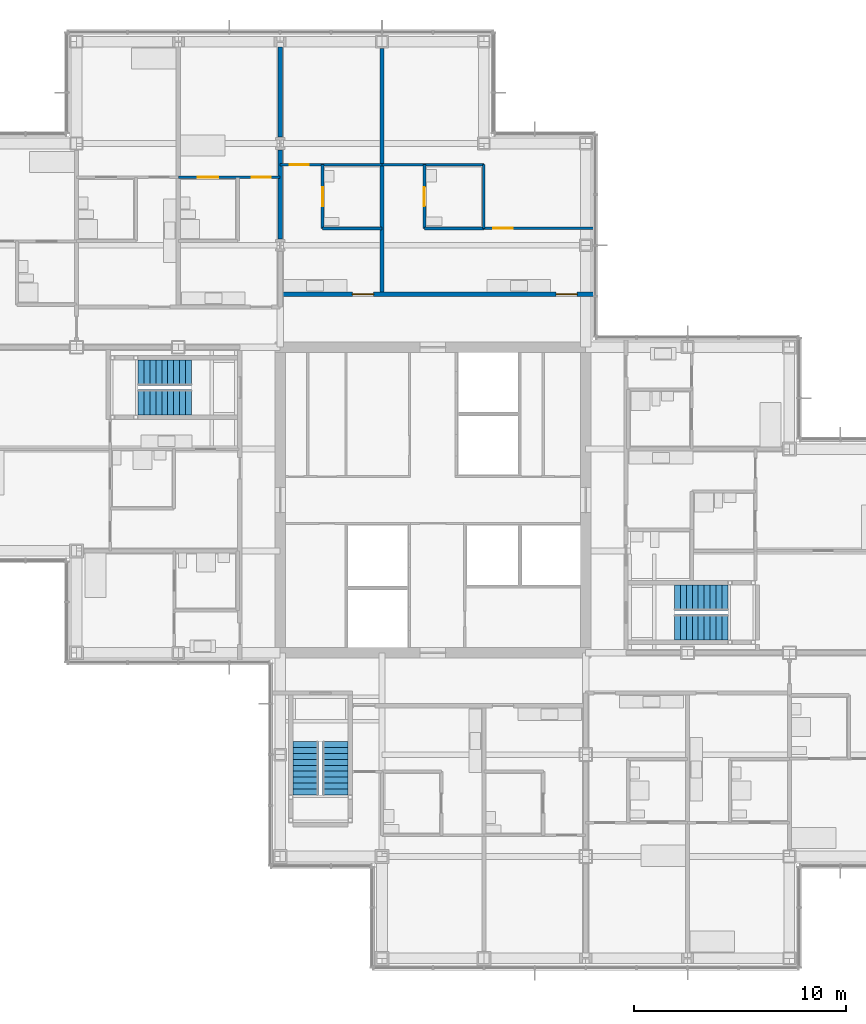
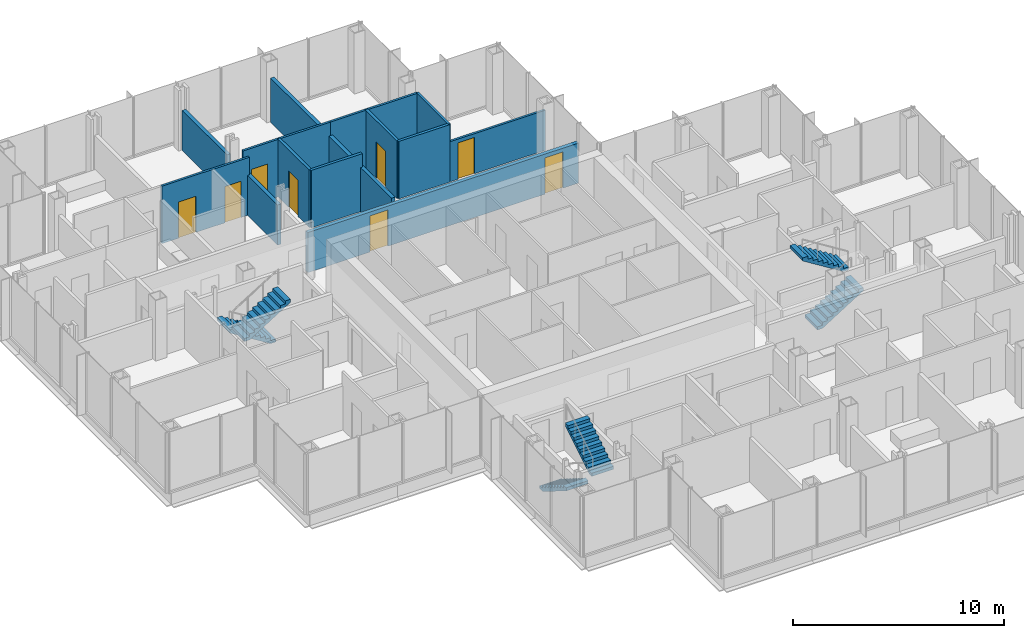
# One storey, part 17 of 20: 13 walls, 8 doors, 6 stair flights, 8 openings, 3 elements without a shape of their own.
"""IFC4 building model written with IfcOpenShell, lengths in metres."""

import ifcopenshell
import ifcopenshell.guid

model = None  # the IFC model being written
_history = None  # IfcOwnerHistory: only IFC2X3 demands one
_inside = {}  # id of a spatial element -> (the spatial element, [elements in it])
_under = {}  # id of a project, library or spatial element -> (it, [spatial elements below it])
_declared = {}  # id of a project -> (the project, [libraries it declares])
_typed = {}  # id of a type object -> (the type object, [elements of that type])
_made_of = {}  # id of a material, layer set ... -> (it, [elements and type objects made of it])


def new_model(schema):
    """Start an empty IFC model of exactly this schema.

    Asked for "IFC4X3", IfcOpenShell would pick the latest addendum, in which some entities
    have other attributes; the version numbers below select the first issue.
    IFC2X3 requires an IfcOwnerHistory on every rooted entity: one is made here for all.
    """
    global model, _history
    if schema == "IFC4X3":
        model = ifcopenshell.file(schema_version=(4, 3, 0, 0))
    else:
        model = ifcopenshell.file(schema=schema)
    _inside.clear()
    _under.clear()
    _declared.clear()
    _typed.clear()
    _made_of.clear()
    _history = None
    if model.schema == "IFC2X3":
        org = make("IfcOrganization", Name="unknown")
        user = make(
            "IfcPersonAndOrganization",
            ThePerson=make("IfcPerson", FamilyName="unknown"),
            TheOrganization=org,
        )
        app = make(
            "IfcApplication",
            ApplicationDeveloper=org,
            Version="unknown",
            ApplicationFullName="unknown",
            ApplicationIdentifier="unknown",
        )
        _history = make(
            "IfcOwnerHistory",
            OwningUser=user,
            OwningApplication=app,
            ChangeAction="ADDED",
            CreationDate=0,
        )
    return model


def make(cls, **values):
    """One entity of the class cls with the attributes given. An attribute that is None is left unset."""
    return model.create_entity(
        cls, **{name: value for name, value in values.items() if value is not None}
    )


def rooted(cls, **values):
    """An entity with a GlobalId (a new one), such as an element, a storey or a relation."""
    return make(cls, GlobalId=ifcopenshell.guid.new(), OwnerHistory=_history, **values)


def si_unit(unit_type, name, prefix=None):
    """IfcSIUnit, for example si_unit("LENGTHUNIT", "METRE", prefix="MILLI")."""
    return make("IfcSIUnit", UnitType=unit_type, Prefix=prefix, Name=name)


def assignment(units):
    """IfcUnitAssignment: the units of a project."""
    return None if units is None else make("IfcUnitAssignment", Units=units)


def point(xyz):
    """IfcCartesianPoint."""
    return None if xyz is None else make("IfcCartesianPoint", Coordinates=xyz)


def direction(xyz):
    """IfcDirection."""
    return None if xyz is None else make("IfcDirection", DirectionRatios=xyz)


def frame(location, z_axis=None, x_axis=None):
    """IfcAxis2Placement3D, a coordinate frame: its origin and axes. An axis left out is left unset."""
    return make(
        "IfcAxis2Placement3D",
        Location=point(location),
        Axis=direction(z_axis),
        RefDirection=direction(x_axis),
    )


def frame_2d(location, x_axis=None):
    """IfcAxis2Placement2D, a coordinate frame in the plane: its origin and x axis."""
    return make(
        "IfcAxis2Placement2D", Location=point(location), RefDirection=direction(x_axis)
    )


def origin():
    """The frame at (0, 0, 0) with its axes left unset."""
    return frame((0.0, 0.0, 0.0))


def place(relative_to, where):
    """IfcLocalPlacement: puts the frame where relative to a parent placement (None: the world)."""
    return make(
        "IfcLocalPlacement", PlacementRelTo=relative_to, RelativePlacement=where
    )


def context(
    kind, dimensions, precision=None, world=None, true_north=None, identifier=None
):
    """IfcGeometricRepresentationContext, for example the 3D "Model" context."""
    return make(
        "IfcGeometricRepresentationContext",
        ContextIdentifier=identifier,
        ContextType=kind,
        CoordinateSpaceDimension=dimensions,
        Precision=precision,
        WorldCoordinateSystem=world,
        TrueNorth=true_north,
    )


def subcontext(parent, identifier, kind, view, scale=None):
    """IfcGeometricRepresentationSubContext, for example "Body" below "Model"."""
    return make(
        "IfcGeometricRepresentationSubContext",
        ContextIdentifier=identifier,
        ContextType=kind,
        ParentContext=parent,
        TargetScale=scale,
        TargetView=view,
    )


def project(units=None, contexts=None):
    """IfcProject with its units and contexts."""
    return rooted(
        "IfcProject",
        Name="project",
        RepresentationContexts=contexts,
        UnitsInContext=assignment(units),
    )


def spatial(cls, under=None, at=None, **own):
    """A site, building, storey or space (cls), placed at a placement, below another one or the project."""
    s = rooted(cls, ObjectPlacement=at, **own)
    if under is not None:
        _under.setdefault(under.id(), (under, []))[1].append(s)
    return s


def polyline(points):
    """IfcPolyline through the points."""
    return make("IfcPolyline", Points=[point(p) for p in points])


def profile(cls, at=None, kind="AREA", **sizes):
    """A parametric profile (cls). Its sizes go by their IFC names, for example OverallWidth=200.0."""
    return make(cls, ProfileType=kind, Position=at, **sizes)


def rectangle(**sizes):
    """IfcRectangleProfileDef."""
    return profile("IfcRectangleProfileDef", **sizes)


def outline(outer, holes=None, kind="AREA"):
    """IfcArbitraryClosedProfileDef: a profile drawn as a closed curve; with holes, ...WithVoids."""
    if holes is None:
        return make("IfcArbitraryClosedProfileDef", ProfileType=kind, OuterCurve=outer)
    return make(
        "IfcArbitraryProfileDefWithVoids",
        ProfileType=kind,
        OuterCurve=outer,
        InnerCurves=holes,
    )


def extrude(swept, where, along, depth):
    """IfcExtrudedAreaSolid: the profile swept, set in the frame where, extruded along a direction by depth."""
    return make(
        "IfcExtrudedAreaSolid",
        SweptArea=swept,
        Position=where,
        ExtrudedDirection=direction(along),
        Depth=depth,
    )


def shape(context_of_items, identifier, shape_type, items):
    """IfcShapeRepresentation: the items that make up one representation, for example the "Body"."""
    return make(
        "IfcShapeRepresentation",
        ContextOfItems=context_of_items,
        RepresentationIdentifier=identifier,
        RepresentationType=shape_type,
        Items=items,
    )


def material(Name=None, Category=None):
    """IfcMaterial."""
    return make("IfcMaterial", Name=Name, Category=Category)


def layer(
    of_material, thickness, ventilated=None, Name=None, Category=None, Priority=None
):
    """IfcMaterialLayer: one layer of a wall or slab, of a material (None: an air gap)."""
    return make(
        "IfcMaterialLayer",
        Material=of_material,
        LayerThickness=thickness,
        IsVentilated=ventilated,
        Name=Name,
        Category=Category,
        Priority=Priority,
    )


def layer_set(layers, Name=None):
    """IfcMaterialLayerSet."""
    return make("IfcMaterialLayerSet", MaterialLayers=layers, LayerSetName=Name)


def made_of(thing, what):
    """Note that an element or type object is made of a material, layer set ...; save() writes the relation."""
    if what is not None:
        _made_of.setdefault(what.id(), (what, []))[1].append(thing)
    return thing


def type_object(cls, material=None, **own):
    """A type object (cls), such as IfcWallType, which elements share."""
    return made_of(rooted(cls, **own), material)


def element(
    cls,
    number,
    at=None,
    inside=None,
    cuts=None,
    type_object=None,
    material=None,
    context=None,
    identifier="Body",
    shape_type=None,
    held_by="IfcProductDefinitionShape",
    body=None,
    shapes=None,
    **own,
):
    """One element of the class cls, such as IfcWall. Its Tag is "e" and its number.

    at: its placement. inside: the storey or other place that contains it. cuts: it is an
    opening in that element (IfcRelVoidsElement). A single representation is given by context,
    identifier, shape_type and body (its items); several are given by shapes. held_by: the class
    of the entity that holds the representations. save() writes the other relations.
    """
    e = rooted(cls, Tag="e%d" % number, ObjectPlacement=at, **own)
    if body is not None:
        shapes = [shape(context, identifier, shape_type, body)]
    if shapes is not None:
        e.Representation = make(held_by, Representations=shapes)
    if inside is not None:
        _inside.setdefault(inside.id(), (inside, []))[1].append(e)
    if cuts is not None:
        rooted(
            "IfcRelVoidsElement", RelatingBuildingElement=cuts, RelatedOpeningElement=e
        )
    if type_object is not None:
        _typed.setdefault(type_object.id(), (type_object, []))[1].append(e)
    return made_of(e, material)


def fill(opening, filler):
    """IfcRelFillsElement: the door or window that sits in an opening."""
    return rooted(
        "IfcRelFillsElement",
        RelatingOpeningElement=opening,
        RelatedBuildingElement=filler,
    )


def aggregate(whole, parts):
    """IfcRelAggregates: a whole, such as a stair, and the parts it consists of."""
    return rooted("IfcRelAggregates", RelatingObject=whole, RelatedObjects=parts)


def save(model, path):
    """Write the relations noted so far, then the file.

    IfcRelAggregates (storeys below a building ...), IfcRelContainedInSpatialStructure (elements
    in a storey), IfcRelDefinesByType, IfcRelAssociatesMaterial and IfcRelDeclares: one each for
    every whole, place, type object, material and project.
    """
    for whole, parts in _under.values():
        aggregate(whole, parts)
    for where, things in _inside.values():
        rooted(
            "IfcRelContainedInSpatialStructure",
            RelatedElements=things,
            RelatingStructure=where,
        )
    for kind, things in _typed.values():
        rooted("IfcRelDefinesByType", RelatedObjects=things, RelatingType=kind)
    for what, things in _made_of.values():
        rooted("IfcRelAssociatesMaterial", RelatedObjects=things, RelatingMaterial=what)
    for by, libraries in _declared.values():
        rooted("IfcRelDeclares", RelatingContext=by, RelatedDefinitions=libraries)
    model.write(path)


model = new_model("IFC4")

# Units and contexts
model_context = context("Model", 3, precision=1e-05, world=origin(), true_north=direction((0.0, 1.0)))
body_context = subcontext(model_context, "Body", "Model", "MODEL_VIEW")
ifc_project = project(units=[si_unit("LENGTHUNIT", "METRE"), si_unit("AREAUNIT", "SQUARE_METRE"), si_unit("VOLUMEUNIT", "CUBIC_METRE"), si_unit("PLANEANGLEUNIT", "RADIAN"), si_unit("MASSUNIT", "GRAM", prefix="KILO")], contexts=[model_context])

# Site, building, storey
site_placement = place(None, origin())
site = spatial("IfcSite", under=ifc_project, at=site_placement, CompositionType="ELEMENT")
building_placement = place(site_placement, origin())
building = spatial("IfcBuilding", under=site, at=building_placement, Name="Kvirike Care Tower", CompositionType="ELEMENT")
storey_placement = place(building_placement, frame((0.0, 0.0, 105.0)))
storey = spatial("IfcBuildingStorey", under=building, at=storey_placement, Name="L28", CompositionType="ELEMENT", Elevation=105.0)

# Wall, opening, door
ifc_material_1 = material(Name="Moisture-resistant board partition", Category="gypsum")
ifc_layer_1 = layer(ifc_material_1, 0.14990234375)
ifc_layer_set_1 = layer_set([ifc_layer_1], Name="BATHROOM WALL 150")
wall_type_1 = type_object("IfcWallType", Name="BATHROOM WALL 150", PredefinedType="PARTITIONING", material=ifc_layer_set_1)
wall_1_placement = place(storey_placement, frame((21.199951171875, 51.800048828125, 0.0), z_axis=(0.0, 0.0, 1.0), x_axis=(0.0, -1.0, 0.0)))
wall_1 = element("IfcWall", 1, at=wall_1_placement, inside=storey, type_object=wall_type_1, Name="Bathroom Wall 150 L28", PredefinedType="PARTITIONING", context=body_context, shape_type="SweptSolid", body=[
    extrude(rectangle(XDim=3.0, YDim=0.14990234375, at=frame_2d((1.5, 0.0))), origin(), (0.0, 0.0, 1.0), 3.330078125),
])
opening_1_placement = place(wall_1_placement, frame((1.050048828125, 0.0, 0.0)))
opening_1 = element("IfcOpeningElement", 2, at=opening_1_placement, cuts=wall_1, Name="Opening 28-026", PredefinedType="OPENING", context=body_context, shape_type="SweptSolid", body=[
    extrude(rectangle(XDim=0.89990234375, YDim=2.10009765625, at=frame_2d((0.449951171875, 1.050048828125))), frame((0.0, 0.08544921875, 0.0), z_axis=(0.0, -1.0, 0.0), x_axis=(1.0, 0.0, 0.0)), (0.0, 0.0, 1.0), 0.1708984375),
])
ifc_material_2 = material(Name="Timber door set", Category="wood")
door_type_1 = type_object("IfcDoorType", Name="BATHROOM DOOR 900", OperationType="SINGLE_SWING_RIGHT", PredefinedType="DOOR", material=ifc_material_2)
door_1_placement = place(opening_1_placement, origin())
door_1 = element("IfcDoor", 3, at=door_1_placement, inside=storey, type_object=door_type_1, Name="Accessible WC door", OperationType="SINGLE_SWING_LEFT", OverallHeight=2.10009765625, OverallWidth=0.89990234375, PredefinedType="DOOR", context=body_context, shape_type="SweptSolid", body=[
    extrude(rectangle(XDim=0.89990234375, YDim=2.10009765625, at=frame_2d((0.449951171875, 1.050048828125))), frame((0.0, 0.02197265625, 0.0), z_axis=(0.0, -1.0, 0.0), x_axis=(1.0, 0.0, 0.0)), (0.0, 0.0, 1.0), 0.0439453125),
])
fill(opening_1, door_1)

# Wall
wall_2_placement = place(storey_placement, frame((24.0, 48.800048828125, 0.0), z_axis=(0.0, 0.0, 1.0), x_axis=(-1.0, 0.0, 0.0)))
element("IfcWall", 4, at=wall_2_placement, inside=storey, type_object=wall_type_1, Name="Bathroom Wall 150 L28", PredefinedType="PARTITIONING", context=body_context, shape_type="SweptSolid", body=[
    extrude(rectangle(XDim=2.800048828125, YDim=0.14990234375, at=frame_2d((1.39990234375, 0.0))), origin(), (0.0, 0.0, 1.0), 3.330078125),
])

# Wall, opening, door
wall_3_placement = place(storey_placement, frame((16.39990234375, 51.800048828125, 0.0), z_axis=(0.0, 0.0, 1.0), x_axis=(0.0, -1.0, 0.0)))
wall_3 = element("IfcWall", 5, at=wall_3_placement, inside=storey, type_object=wall_type_1, Name="Bathroom Wall 150 L28", PredefinedType="PARTITIONING", context=body_context, shape_type="SweptSolid", body=[
    extrude(rectangle(XDim=3.0, YDim=0.14990234375, at=frame_2d((1.5, 0.0))), origin(), (0.0, 0.0, 1.0), 3.330078125),
])
opening_2_placement = place(wall_3_placement, frame((1.050048828125, 0.0, 0.0)))
opening_2 = element("IfcOpeningElement", 6, at=opening_2_placement, cuts=wall_3, Name="Opening 28-028", PredefinedType="OPENING", context=body_context, shape_type="SweptSolid", body=[
    extrude(rectangle(XDim=0.89990234375, YDim=2.10009765625, at=frame_2d((0.449951171875, 1.050048828125))), frame((0.0, 0.08544921875, 0.0), z_axis=(0.0, -1.0, 0.0), x_axis=(1.0, 0.0, 0.0)), (0.0, 0.0, 1.0), 0.1708984375),
])
door_2_placement = place(opening_2_placement, origin())
door_2 = element("IfcDoor", 7, at=door_2_placement, inside=storey, type_object=door_type_1, Name="Staff WC door", OperationType="SINGLE_SWING_LEFT", OverallHeight=2.10009765625, OverallWidth=0.89990234375, PredefinedType="DOOR", context=body_context, shape_type="SweptSolid", body=[
    extrude(rectangle(XDim=0.89990234375, YDim=2.10009765625, at=frame_2d((0.449951171875, 1.050048828125))), frame((0.0, 0.02197265625, 0.0), z_axis=(0.0, -1.0, 0.0), x_axis=(1.0, 0.0, 0.0)), (0.0, 0.0, 1.0), 0.0439453125),
])
fill(opening_2, door_2)

# Wall
wall_4_placement = place(storey_placement, frame((19.199951171875, 48.800048828125, 0.0), z_axis=(0.0, 0.0, 1.0), x_axis=(-1.0, 0.0, 0.0)))
element("IfcWall", 8, at=wall_4_placement, inside=storey, type_object=wall_type_1, Name="Bathroom Wall 150 L28", PredefinedType="PARTITIONING", context=body_context, shape_type="SweptSolid", body=[
    extrude(rectangle(XDim=2.800048828125, YDim=0.14990234375, at=frame_2d((1.39990234375, 0.0))), origin(), (0.0, 0.0, 1.0), 3.330078125),
])

# Wall, openings, doors
ifc_material_3 = material(Name="Plasterboard corridor wall", Category="gypsum")
ifc_layer_2 = layer(ifc_material_3, 0.199951171875)
ifc_layer_set_2 = layer_set([ifc_layer_2], Name="CORRIDOR WALL 200")
wall_type_2 = type_object("IfcWallType", Name="CORRIDOR WALL 200", PredefinedType="PARTITIONING", material=ifc_layer_set_2)
wall_5_placement = place(storey_placement, frame((29.239990234375, 45.699951171875, 0.0), z_axis=(0.0, 0.0, 1.0), x_axis=(-1.0, 0.0, 0.0)))
wall_5 = element("IfcWall", 9, at=wall_5_placement, inside=storey, type_object=wall_type_2, Name="Corridor Wall 200 L28", PredefinedType="PARTITIONING", context=body_context, shape_type="SweptSolid", body=[
    extrude(rectangle(XDim=14.840087890625, YDim=0.199951171875, at=frame_2d((7.419921875, 0.0))), origin(), (0.0, 0.0, 1.0), 2.320068359375),
])
opening_3_placement = place(wall_5_placement, frame((0.840087890625, 0.0, 0.0)))
opening_3 = element("IfcOpeningElement", 10, at=opening_3_placement, cuts=wall_5, Name="Opening 28-030", PredefinedType="OPENING", context=body_context, shape_type="SweptSolid", body=[
    extrude(rectangle(XDim=1.0, YDim=2.10009765625, at=frame_2d((0.5, 1.050048828125))), frame((0.0, 0.110595703125, 0.0), z_axis=(0.0, -1.0, 0.0), x_axis=(1.0, 0.0, 0.0)), (0.0, 0.0, 1.0), 0.220947265625),
])
opening_4_placement = place(wall_5_placement, frame((10.43994140625, 0.0, 0.0)))
opening_4 = element("IfcOpeningElement", 11, at=opening_4_placement, cuts=wall_5, Name="Opening 28-031", PredefinedType="OPENING", context=body_context, shape_type="SweptSolid", body=[
    extrude(rectangle(XDim=1.0, YDim=2.10009765625, at=frame_2d((0.5, 1.050048828125))), frame((0.0, 0.110595703125, 0.0), z_axis=(0.0, -1.0, 0.0), x_axis=(1.0, 0.0, 0.0)), (0.0, 0.0, 1.0), 0.220947265625),
])
ifc_material_4 = material(Name="Timber door set", Category="wood")
door_type_2 = type_object("IfcDoorType", Name="FLAT ENTRANCE DOOR 1000", OperationType="SINGLE_SWING_LEFT", PredefinedType="DOOR", material=ifc_material_4)
door_3_placement = place(opening_3_placement, frame((1.0, 0.0, 0.0), z_axis=(0.0, 0.0, 1.0), x_axis=(-1.0, 0.0, 0.0)))
door_3 = element("IfcDoor", 12, at=door_3_placement, inside=storey, type_object=door_type_2, Name="Household lounge entrance", OperationType="SINGLE_SWING_LEFT", OverallHeight=2.10009765625, OverallWidth=1.0, PredefinedType="DOOR", context=body_context, shape_type="SweptSolid", body=[
    extrude(rectangle(XDim=1.0, YDim=2.10009765625, at=frame_2d((0.5, 1.050048828125))), frame((0.0, 0.02685546875, 0.0), z_axis=(0.0, -1.0, 0.0), x_axis=(1.0, 0.0, 0.0)), (0.0, 0.0, 1.0), 0.053955078125),
])
fill(opening_3, door_3)
door_4_placement = place(opening_4_placement, frame((1.0, 0.0, 0.0), z_axis=(0.0, 0.0, 1.0), x_axis=(-1.0, 0.0, 0.0)))
door_4 = element("IfcDoor", 13, at=door_4_placement, inside=storey, type_object=door_type_2, Name="Household dining entrance", OperationType="SINGLE_SWING_LEFT", OverallHeight=2.10009765625, OverallWidth=1.0, PredefinedType="DOOR", context=body_context, shape_type="SweptSolid", body=[
    extrude(rectangle(XDim=1.0, YDim=2.10009765625, at=frame_2d((0.5, 1.050048828125))), frame((0.0, 0.02685546875, 0.0), z_axis=(0.0, -1.0, 0.0), x_axis=(1.0, 0.0, 0.0)), (0.0, 0.0, 1.0), 0.053955078125),
])
fill(opening_4, door_4)

ifc_material_5 = material(Name="Plasterboard partition", Category="gypsum")
ifc_layer_3 = layer(ifc_material_5, 0.1201171875)
ifc_layer_set_3 = layer_set([ifc_layer_3], Name="PARTITION 120")
wall_type_3 = type_object("IfcWallType", Name="PARTITION 120", PredefinedType="PARTITIONING", material=ifc_layer_set_3)
wall_6_placement = place(storey_placement, frame((14.39990234375, 51.199951171875, 0.0), z_axis=(0.0, 0.0, 1.0), x_axis=(-1.0, 0.0, 0.0)))
wall_6 = element("IfcWall", 14, at=wall_6_placement, inside=storey, type_object=wall_type_3, Name="Partition 120 L28", PredefinedType="PARTITIONING", context=body_context, shape_type="SweptSolid", body=[
    extrude(rectangle(XDim=4.7998046875, YDim=0.1201171875, at=frame_2d((2.39990234375, 0.0))), origin(), (0.0, 0.0, 1.0), 3.330078125),
])
opening_5_placement = place(wall_6_placement, frame((0.449951171875, 0.0, 0.0)))
opening_5 = element("IfcOpeningElement", 15, at=opening_5_placement, cuts=wall_6, Name="Opening 28-010", PredefinedType="OPENING", context=body_context, shape_type="SweptSolid", body=[
    extrude(rectangle(XDim=0.89990234375, YDim=2.10009765625, at=frame_2d((0.449951171875, 1.050048828125))), frame((0.0, 0.070556640625, 0.0), z_axis=(0.0, -1.0, 0.0), x_axis=(1.0, 0.0, 0.0)), (0.0, 0.0, 1.0), 0.14111328125),
])
opening_6_placement = place(wall_6_placement, frame((2.925048828125, 0.0, 0.0)))
opening_6 = element("IfcOpeningElement", 16, at=opening_6_placement, cuts=wall_6, Name="Opening 28-011", PredefinedType="OPENING", context=body_context, shape_type="SweptSolid", body=[
    extrude(rectangle(XDim=0.949951171875, YDim=2.10009765625, at=frame_2d((0.47509765625, 1.050048828125))), frame((0.0, 0.070556640625, 0.0), z_axis=(0.0, -1.0, 0.0), x_axis=(1.0, 0.0, 0.0)), (0.0, 0.0, 1.0), 0.14111328125),
])
ifc_material_6 = material(Name="Timber door set", Category="wood")
door_type_3 = type_object("IfcDoorType", Name="EN-SUITE SLIDING DOOR 950", OperationType="SLIDING_TO_LEFT", PredefinedType="DOOR", material=ifc_material_6)
door_5_placement = place(opening_6_placement, origin())
door_5 = element("IfcDoor", 17, at=door_5_placement, inside=storey, type_object=door_type_3, Name="En-suite door", OperationType="SLIDING_TO_LEFT", OverallHeight=2.10009765625, OverallWidth=0.949951171875, PredefinedType="DOOR", context=body_context, shape_type="SweptSolid", body=[
    extrude(rectangle(XDim=0.949951171875, YDim=2.10009765625, at=frame_2d((0.47509765625, 1.050048828125))), frame((0.0, 0.02197265625, 0.0), z_axis=(0.0, -1.0, 0.0), x_axis=(1.0, 0.0, 0.0)), (0.0, 0.0, 1.0), 0.0439453125),
])
fill(opening_6, door_5)
ifc_material_7 = material(Name="Timber door set", Category="wood")
door_type_4 = type_object("IfcDoorType", Name="INTERNAL DOOR 900", OperationType="SINGLE_SWING_LEFT", PredefinedType="DOOR", material=ifc_material_7)
door_6_placement = place(opening_5_placement, origin())
door_6 = element("IfcDoor", 18, at=door_6_placement, inside=storey, type_object=door_type_4, Name="Assisted living suite door", OperationType="SINGLE_SWING_RIGHT", OverallHeight=2.10009765625, OverallWidth=0.89990234375, PredefinedType="DOOR", context=body_context, shape_type="SweptSolid", body=[
    extrude(rectangle(XDim=0.89990234375, YDim=2.10009765625, at=frame_2d((0.449951171875, 1.050048828125))), frame((0.0, 0.02197265625, 0.0), z_axis=(0.0, -1.0, 0.0), x_axis=(1.0, 0.0, 0.0)), (0.0, 0.0, 1.0), 0.0439453125),
])
fill(opening_5, door_6)

# Wall, opening, door
wall_7_placement = place(storey_placement, frame((29.239990234375, 48.800048828125, 0.0), z_axis=(0.0, 0.0, 1.0), x_axis=(-1.0, 0.0, 0.0)))
wall_7 = element("IfcWall", 19, at=wall_7_placement, inside=storey, type_object=wall_type_3, Name="Partition 120 L28", PredefinedType="PARTITIONING", context=body_context, shape_type="SweptSolid", body=[
    extrude(rectangle(XDim=5.239990234375, YDim=0.1201171875, at=frame_2d((2.6201171875, 0.0))), origin(), (0.0, 0.0, 1.0), 2.320068359375),
])
opening_7_placement = place(wall_7_placement, frame((3.889892578125, 0.0, 0.0)))
opening_7 = element("IfcOpeningElement", 20, at=opening_7_placement, cuts=wall_7, Name="Opening 28-027", PredefinedType="OPENING", context=body_context, shape_type="SweptSolid", body=[
    extrude(rectangle(XDim=0.89990234375, YDim=2.10009765625, at=frame_2d((0.449951171875, 1.050048828125))), frame((0.0, 0.070556640625, 0.0), z_axis=(0.0, -1.0, 0.0), x_axis=(1.0, 0.0, 0.0)), (0.0, 0.0, 1.0), 0.14111328125),
])
door_7_placement = place(opening_7_placement, origin())
door_7 = element("IfcDoor", 21, at=door_7_placement, inside=storey, type_object=door_type_4, Name="Household lounge door", OperationType="SINGLE_SWING_RIGHT", OverallHeight=2.10009765625, OverallWidth=0.89990234375, PredefinedType="DOOR", context=body_context, shape_type="SweptSolid", body=[
    extrude(rectangle(XDim=0.89990234375, YDim=2.10009765625, at=frame_2d((0.449951171875, 1.050048828125))), frame((0.0, 0.02197265625, 0.0), z_axis=(0.0, -1.0, 0.0), x_axis=(1.0, 0.0, 0.0)), (0.0, 0.0, 1.0), 0.0439453125),
])
fill(opening_7, door_7)

# Walls
wall_8_placement = place(storey_placement, frame((24.0, 51.800048828125, 0.0), z_axis=(0.0, 0.0, 1.0), x_axis=(-1.0, 0.0, 0.0)))
element("IfcWall", 22, at=wall_8_placement, inside=storey, type_object=wall_type_3, Name="Partition 120 L28", PredefinedType="PARTITIONING", context=body_context, shape_type="SweptSolid", body=[
    extrude(rectangle(XDim=4.800048828125, YDim=0.1201171875, at=frame_2d((2.39990234375, 0.0))), origin(), (0.0, 0.0, 1.0), 3.330078125),
])
wall_9_placement = place(storey_placement, frame((24.0, 51.800048828125, 0.0), z_axis=(0.0, 0.0, 1.0), x_axis=(0.0, -1.0, 0.0)))
element("IfcWall", 23, at=wall_9_placement, inside=storey, type_object=wall_type_3, Name="Partition 120 L28", PredefinedType="PARTITIONING", context=body_context, shape_type="SweptSolid", body=[
    extrude(rectangle(XDim=3.0, YDim=0.1201171875, at=frame_2d((1.5, 0.0))), origin(), (0.0, 0.0, 1.0), 3.330078125),
])

# Wall, opening, door
wall_10_placement = place(storey_placement, frame((19.199951171875, 51.800048828125, 0.0), z_axis=(0.0, 0.0, 1.0), x_axis=(-1.0, 0.0, 0.0)))
wall_10 = element("IfcWall", 24, at=wall_10_placement, inside=storey, type_object=wall_type_3, Name="Partition 120 L28", PredefinedType="PARTITIONING", context=body_context, shape_type="SweptSolid", body=[
    extrude(rectangle(XDim=4.800048828125, YDim=0.1201171875, at=frame_2d((2.39990234375, 0.0))), origin(), (0.0, 0.0, 1.0), 3.330078125),
])
opening_8_placement = place(wall_10_placement, frame((3.449951171875, 0.0, 0.0)))
opening_8 = element("IfcOpeningElement", 25, at=opening_8_placement, cuts=wall_10, Name="Opening 28-029", PredefinedType="OPENING", context=body_context, shape_type="SweptSolid", body=[
    extrude(rectangle(XDim=0.89990234375, YDim=2.10009765625, at=frame_2d((0.449951171875, 1.050048828125))), frame((0.0, 0.070556640625, 0.0), z_axis=(0.0, -1.0, 0.0), x_axis=(1.0, 0.0, 0.0)), (0.0, 0.0, 1.0), 0.14111328125),
])
door_8_placement = place(opening_8_placement, origin())
door_8 = element("IfcDoor", 26, at=door_8_placement, inside=storey, type_object=door_type_4, Name="Household dining room door", OperationType="SINGLE_SWING_LEFT", OverallHeight=2.10009765625, OverallWidth=0.89990234375, PredefinedType="DOOR", context=body_context, shape_type="SweptSolid", body=[
    extrude(rectangle(XDim=0.89990234375, YDim=2.10009765625, at=frame_2d((0.449951171875, 1.050048828125))), frame((0.0, 0.02197265625, 0.0), z_axis=(0.0, -1.0, 0.0), x_axis=(1.0, 0.0, 0.0)), (0.0, 0.0, 1.0), 0.0439453125),
])
fill(opening_8, door_8)

# Walls
ifc_material_8 = material(Name="Plasterboard party wall", Category="gypsum")
ifc_layer_4 = layer(ifc_material_8, 0.199951171875)
ifc_layer_set_4 = layer_set([ifc_layer_4], Name="PARTY WALL 200")
wall_type_4 = type_object("IfcWallType", Name="PARTY WALL 200", PredefinedType="PARTITIONING", material=ifc_layer_set_4)
wall_11_placement = place(storey_placement, frame((19.199951171875, 57.280029296875, 0.0), z_axis=(0.0, 0.0, 1.0), x_axis=(0.0, -1.0, 0.0)))
element("IfcWall", 27, at=wall_11_placement, inside=storey, type_object=wall_type_4, Name="Party Wall 200 L28", PredefinedType="PARTITIONING", context=body_context, shape_type="SweptSolid", body=[
    extrude(rectangle(XDim=11.47998046875, YDim=0.199951171875, at=frame_2d((5.739990234375, 0.0))), origin(), (0.0, 0.0, 1.0), 2.550048828125),
])
wall_12_placement = place(storey_placement, frame((14.39990234375, 48.294921875, 0.0), z_axis=(0.0, 0.0, 1.0), x_axis=(0.0, 1.0, 0.0)))
element("IfcWall", 28, at=wall_12_placement, inside=storey, type_object=wall_type_4, Name="Party Wall 200 L28", PredefinedType="PARTITIONING", context=body_context, shape_type="SweptSolid", body=[
    extrude(rectangle(XDim=4.2099609375, YDim=0.199951171875, at=frame_2d((2.10498046875, 0.0))), origin(), (0.0, 0.0, 1.0), 2.320068359375),
])
wall_13_placement = place(storey_placement, frame((14.39990234375, 53.094970703125, 0.0), z_axis=(0.0, 0.0, 1.0), x_axis=(0.0, 1.0, 0.0)))
element("IfcWall", 29, at=wall_13_placement, inside=storey, type_object=wall_type_4, Name="Party Wall 200 L28", PredefinedType="PARTITIONING", context=body_context, shape_type="SweptSolid", body=[
    extrude(rectangle(XDim=4.258056640625, YDim=0.199951171875, at=frame_2d((2.12890625, 0.0))), origin(), (0.0, 0.0, 1.0), 2.320068359375),
])

# Stair, stair flights
ifc_material_9 = material(Name="Concrete C35/45", Category="concrete")
stair_type = type_object("IfcStairType", Name="STAIR 20 RISERS", PredefinedType="HALF_TURN_STAIR", material=ifc_material_9)
stair_1_placement = place(storey_placement, origin())
stair_1 = element("IfcStair", 30, at=stair_1_placement, inside=storey, type_object=stair_type, Name="Stair 1 L28", PredefinedType="HALF_TURN_STAIR")
ifc_material_10 = material(Name="Concrete C35/45", Category="concrete")
stair_flight_type = type_object("IfcStairFlightType", Name="FLIGHT 10 RISERS", PredefinedType="STRAIGHT", material=ifc_material_10)
stair_flight_1_placement = place(storey_placement, frame((10.219970703125, 42.0, 0.0), z_axis=(0.0, 0.0, 1.0), x_axis=(-1.0, 0.0, 0.0)))
stair_flight_1 = element("IfcStairFlight", 31, at=stair_flight_1_placement, type_object=stair_flight_type, Name="Stair S1 flight 1 L28-L29", NumberOfRisers=10, NumberOfTreads=9, PredefinedType="STRAIGHT", RiserHeight=0.175, TreadLength=0.28, context=body_context, shape_type="SweptSolid", body=[
    extrude(outline(polyline([(0.0, 0.0), (0.0, 0.175048828125), (0.280029296875, 0.175048828125), (0.280029296875, 0.35009765625), (0.56005859375, 0.35009765625), (0.56005859375, 0.52490234375), (0.840087890625, 0.52490234375), (0.840087890625, 0.699951171875), (1.1201171875, 0.699951171875), (1.1201171875, 0.875), (1.39990234375, 0.875), (1.39990234375, 1.050048828125), (1.679931640625, 1.050048828125), (1.679931640625, 1.22509765625), (1.9599609375, 1.22509765625), (1.9599609375, 1.39990234375), (2.239990234375, 1.39990234375), (2.239990234375, 1.574951171875), (2.52001953125, 1.574951171875), (2.52001953125, 1.75), (2.52001953125, 1.398193359375), (0.28271484375, 0.0), (0.0, 0.0)])), frame((0.0, 0.60009765625, 0.0), z_axis=(0.0, -1.0, 0.0), x_axis=(1.0, 0.0, 0.0)), (0.0, 0.0, 1.0), 1.199951171875),
])
stair_flight_2_placement = place(storey_placement, frame((7.699951171875, 40.60009765625, 1.75), z_axis=(0.0, 0.0, 1.0), x_axis=(1.0, 0.0, 0.0)))
stair_flight_2 = element("IfcStairFlight", 32, at=stair_flight_2_placement, type_object=stair_flight_type, Name="Stair S1 flight 2 L28-L29", NumberOfRisers=10, NumberOfTreads=9, PredefinedType="STRAIGHT", RiserHeight=0.175, TreadLength=0.28, context=body_context, shape_type="SweptSolid", body=[
    extrude(outline(polyline([(0.0, 0.0), (0.0, 0.175048828125), (0.280029296875, 0.175048828125), (0.280029296875, 0.35009765625), (0.56005859375, 0.35009765625), (0.56005859375, 0.52490234375), (0.840087890625, 0.52490234375), (0.840087890625, 0.699951171875), (1.1201171875, 0.699951171875), (1.1201171875, 0.875), (1.39990234375, 0.875), (1.39990234375, 1.050048828125), (1.679931640625, 1.050048828125), (1.679931640625, 1.22509765625), (1.9599609375, 1.22509765625), (1.9599609375, 1.39990234375), (2.239990234375, 1.39990234375), (2.239990234375, 1.574951171875), (2.52001953125, 1.574951171875), (2.52001953125, 1.75), (2.52001953125, 1.398193359375), (0.28271484375, 0.0), (0.0, 0.0)])), frame((0.0, 0.60009765625, 0.0), z_axis=(0.0, -1.0, 0.0), x_axis=(1.0, 0.0, 0.0)), (0.0, 0.0, 1.0), 1.199951171875),
])
aggregate(stair_1, [stair_flight_1, stair_flight_2])

stair_2_placement = place(storey_placement, origin())
stair_2 = element("IfcStair", 33, at=stair_2_placement, inside=storey, type_object=stair_type, Name="Stair 2 L28", PredefinedType="HALF_TURN_STAIR")
stair_flight_3_placement = place(storey_placement, frame((32.97998046875, 30.0, 0.0), z_axis=(0.0, 0.0, 1.0), x_axis=(1.0, 0.0, 0.0)))
stair_flight_3 = element("IfcStairFlight", 34, at=stair_flight_3_placement, type_object=stair_flight_type, Name="Stair S2 flight 1 L28-L29", NumberOfRisers=10, NumberOfTreads=9, PredefinedType="STRAIGHT", RiserHeight=0.175, TreadLength=0.28, context=body_context, shape_type="SweptSolid", body=[
    extrude(outline(polyline([(0.0, 0.0), (0.0, 0.175048828125), (0.280029296875, 0.175048828125), (0.280029296875, 0.35009765625), (0.56005859375, 0.35009765625), (0.56005859375, 0.52490234375), (0.840087890625, 0.52490234375), (0.840087890625, 0.699951171875), (1.1201171875, 0.699951171875), (1.1201171875, 0.875), (1.39990234375, 0.875), (1.39990234375, 1.050048828125), (1.679931640625, 1.050048828125), (1.679931640625, 1.22509765625), (1.9599609375, 1.22509765625), (1.9599609375, 1.39990234375), (2.239990234375, 1.39990234375), (2.239990234375, 1.574951171875), (2.52001953125, 1.574951171875), (2.52001953125, 1.75), (2.52001953125, 1.398193359375), (0.28271484375, 0.0), (0.0, 0.0)])), frame((0.0, 0.60009765625, 0.0), z_axis=(0.0, -1.0, 0.0), x_axis=(1.0, 0.0, 0.0)), (0.0, 0.0, 1.0), 1.199951171875),
])
stair_flight_4_placement = place(storey_placement, frame((35.5, 31.39990234375, 1.75), z_axis=(0.0, 0.0, 1.0), x_axis=(-1.0, 0.0, 0.0)))
stair_flight_4 = element("IfcStairFlight", 35, at=stair_flight_4_placement, type_object=stair_flight_type, Name="Stair S2 flight 2 L28-L29", NumberOfRisers=10, NumberOfTreads=9, PredefinedType="STRAIGHT", RiserHeight=0.175, TreadLength=0.28, context=body_context, shape_type="SweptSolid", body=[
    extrude(outline(polyline([(0.0, 0.0), (0.0, 0.175048828125), (0.280029296875, 0.175048828125), (0.280029296875, 0.35009765625), (0.56005859375, 0.35009765625), (0.56005859375, 0.52490234375), (0.840087890625, 0.52490234375), (0.840087890625, 0.699951171875), (1.1201171875, 0.699951171875), (1.1201171875, 0.875), (1.39990234375, 0.875), (1.39990234375, 1.050048828125), (1.679931640625, 1.050048828125), (1.679931640625, 1.22509765625), (1.9599609375, 1.22509765625), (1.9599609375, 1.39990234375), (2.239990234375, 1.39990234375), (2.239990234375, 1.574951171875), (2.52001953125, 1.574951171875), (2.52001953125, 1.75), (2.52001953125, 1.398193359375), (0.28271484375, 0.0), (0.0, 0.0)])), frame((0.0, 0.60009765625, 0.0), z_axis=(0.0, -1.0, 0.0), x_axis=(1.0, 0.0, 0.0)), (0.0, 0.0, 1.0), 1.199951171875),
])
aggregate(stair_2, [stair_flight_3, stair_flight_4])

stair_3_placement = place(storey_placement, origin())
stair_3 = element("IfcStair", 36, at=stair_3_placement, inside=storey, type_object=stair_type, Name="Stair 5 L28", PredefinedType="HALF_TURN_STAIR")
stair_flight_5_placement = place(storey_placement, frame((15.60009765625, 24.6201171875, 0.0), z_axis=(0.0, 0.0, 1.0), x_axis=(0.0, -1.0, 0.0)))
stair_flight_5 = element("IfcStairFlight", 37, at=stair_flight_5_placement, type_object=stair_flight_type, Name="Stair S5 flight 1 L28-L29", NumberOfRisers=10, NumberOfTreads=9, PredefinedType="STRAIGHT", RiserHeight=0.175, TreadLength=0.28, context=body_context, shape_type="SweptSolid", body=[
    extrude(outline(polyline([(0.0, 0.0), (0.0, 0.175048828125), (0.280029296875, 0.175048828125), (0.280029296875, 0.35009765625), (0.56005859375, 0.35009765625), (0.56005859375, 0.52490234375), (0.840087890625, 0.52490234375), (0.840087890625, 0.699951171875), (1.1201171875, 0.699951171875), (1.1201171875, 0.875), (1.39990234375, 0.875), (1.39990234375, 1.050048828125), (1.679931640625, 1.050048828125), (1.679931640625, 1.22509765625), (1.9599609375, 1.22509765625), (1.9599609375, 1.39990234375), (2.239990234375, 1.39990234375), (2.239990234375, 1.574951171875), (2.52001953125, 1.574951171875), (2.52001953125, 1.75), (2.52001953125, 1.398193359375), (0.28271484375, 0.0), (0.0, 0.0)])), frame((0.0, 0.60009765625, 0.0), z_axis=(0.0, -1.0, 0.0), x_axis=(1.0, 0.0, 0.0)), (0.0, 0.0, 1.0), 1.199951171875),
])
stair_flight_6_placement = place(storey_placement, frame((17.0, 22.10009765625, 1.75), z_axis=(0.0, 0.0, 1.0), x_axis=(0.0, 1.0, 0.0)))
stair_flight_6 = element("IfcStairFlight", 38, at=stair_flight_6_placement, type_object=stair_flight_type, Name="Stair S5 flight 2 L28-L29", NumberOfRisers=10, NumberOfTreads=9, PredefinedType="STRAIGHT", RiserHeight=0.175, TreadLength=0.28, context=body_context, shape_type="SweptSolid", body=[
    extrude(outline(polyline([(0.0, 0.0), (0.0, 0.175048828125), (0.280029296875, 0.175048828125), (0.280029296875, 0.35009765625), (0.56005859375, 0.35009765625), (0.56005859375, 0.52490234375), (0.840087890625, 0.52490234375), (0.840087890625, 0.699951171875), (1.1201171875, 0.699951171875), (1.1201171875, 0.875), (1.39990234375, 0.875), (1.39990234375, 1.050048828125), (1.679931640625, 1.050048828125), (1.679931640625, 1.22509765625), (1.9599609375, 1.22509765625), (1.9599609375, 1.39990234375), (2.239990234375, 1.39990234375), (2.239990234375, 1.574951171875), (2.52001953125, 1.574951171875), (2.52001953125, 1.75), (2.52001953125, 1.398193359375), (0.28271484375, 0.0), (0.0, 0.0)])), frame((0.0, 0.60009765625, 0.0), z_axis=(0.0, -1.0, 0.0), x_axis=(1.0, 0.0, 0.0)), (0.0, 0.0, 1.0), 1.199951171875),
])
aggregate(stair_3, [stair_flight_5, stair_flight_6])

save(model, "model.ifc")
